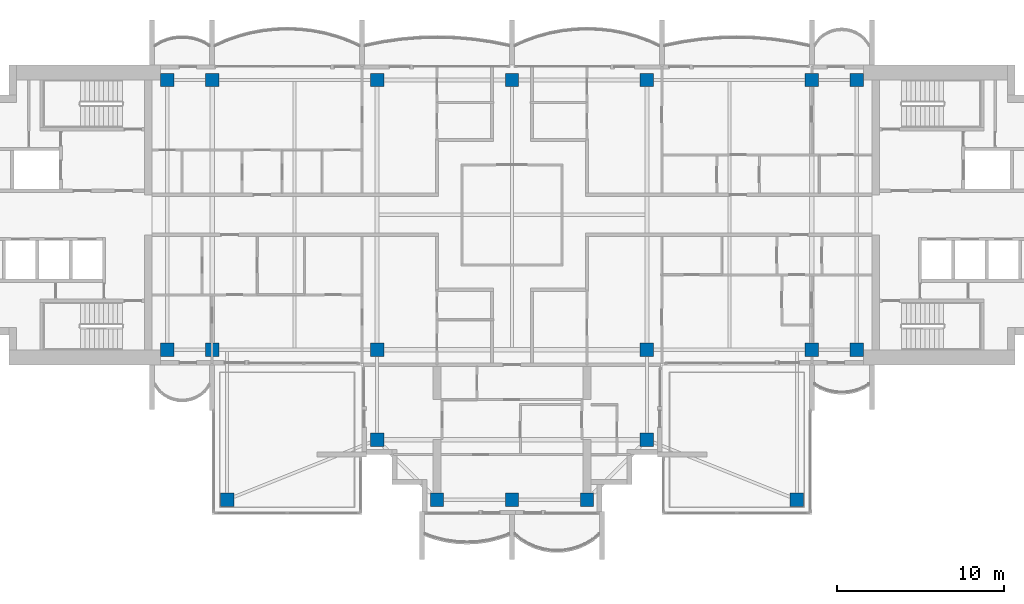
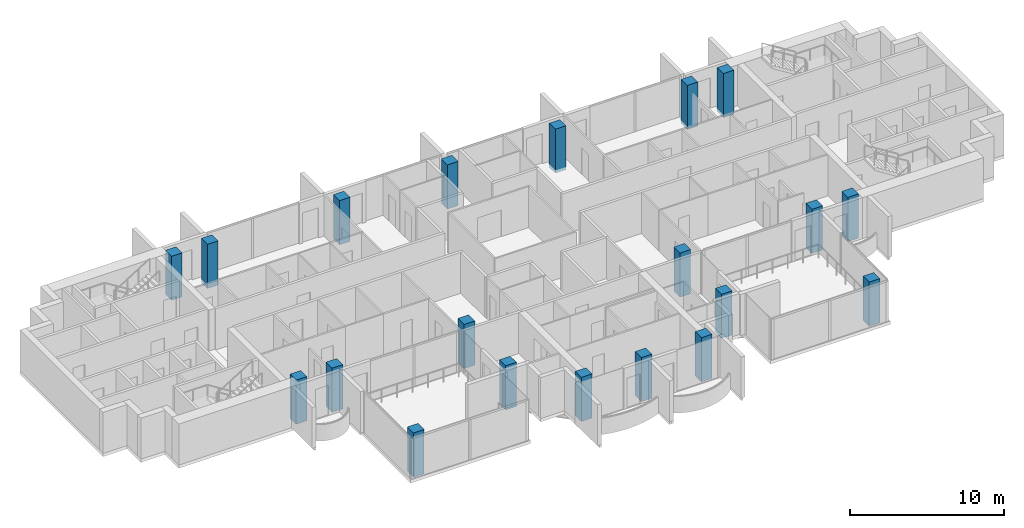
# One storey, part 1 of 16: 20 columns.
"""IFC4 building model written with IfcOpenShell, lengths in metres."""

from ifc_helpers import new_model, si_unit, direction, frame, origin, origin_2d, place, context, subcontext, project, spatial, rectangle, extrude, material, material_profile, profile_set, type_object, element, save


model = new_model("IFC4")

# Units and contexts
model_context = context("Model", 3, precision=1e-05, world=origin(), true_north=direction((0.0, 1.0)))
body_context = subcontext(model_context, "Body", "Model", "MODEL_VIEW")
ifc_project = project(units=[si_unit("LENGTHUNIT", "METRE"), si_unit("AREAUNIT", "SQUARE_METRE"), si_unit("VOLUMEUNIT", "CUBIC_METRE"), si_unit("PLANEANGLEUNIT", "RADIAN"), si_unit("MASSUNIT", "GRAM", prefix="KILO")], contexts=[model_context])

# Site, building, storey
site_placement = place(None, origin())
site = spatial("IfcSite", under=ifc_project, at=site_placement, CompositionType="ELEMENT")
building_placement = place(site_placement, origin())
building = spatial("IfcBuilding", under=site, at=building_placement, Name="Perihelion Cross Residences", CompositionType="ELEMENT")
storey_placement = place(building_placement, frame((0.0, 0.0, 257.0)))
storey = spatial("IfcBuildingStorey", under=building, at=storey_placement, Name="L65", CompositionType="ELEMENT", Elevation=257.0)

# Columns
ifc_material = material(Name="Concrete C50/60", Category="concrete")
ifc_material_profile = material_profile(ifc_material, rectangle(XDim=0.800048828125, YDim=0.800048828125, at=origin_2d()), Name="RC 800x800")
ifc_profile_set = profile_set([ifc_material_profile], Name="Concrete C50/60")
column_type = type_object("IfcColumnType", Name="Reinforced concrete column 800x800 C50/60", PredefinedType="COLUMN", material=ifc_profile_set)
for number, where, z_axis, x_axis, name in (
    (1, (-20.699951171875, -8.10009765625, -0.25), (0.0, 0.0, 1.0), (1.0, 0.0, 0.0), "Column C017 L65 no. 1"),
    (2, (-20.699951171875, 8.10009765625, -0.25), (0.0, 0.0, 1.0), (1.0, 0.0, 0.0), "Column C010 L65 no. 1"),
    (3, (-18.0, -8.10009765625, -0.25), (0.0, 0.0, 1.0), (1.0, 0.0, 0.0), "Column C018 L65 no. 1"),
    (4, (-18.0, 8.10009765625, -0.25), (0.0, 0.0, 1.0), (1.0, 0.0, 0.0), "Column C011 L65 no. 1"),
    (5, (-8.10009765625, -13.5, -0.25), (0.0, 0.0, 1.0), (1.0, 0.0, 0.0), "Column C025 L65 no. 1"),
    (6, (-8.10009765625, -8.10009765625, -0.25), (0.0, 0.0, 1.0), (1.0, 0.0, 0.0), "Column C019 L65 no. 1"),
    (7, (-8.10009765625, 8.10009765625, -0.25), (0.0, 0.0, 1.0), (1.0, 0.0, 0.0), "Column C012 L65 no. 1"),
    (8, (-4.5, -17.10009765625, -0.25), (0.0, 0.0, 1.0), (1.0, 0.0, 0.0), "Column C032 L65 no. 1"),
    (9, (0.0, -17.10009765625, -0.25), (0.0, 0.0, 1.0), (1.0, 0.0, 0.0), "Column C033 L65 no. 1"),
    (10, (0.0, 8.10009765625, -0.25), (0.0, 0.0, 1.0), (1.0, 0.0, 0.0), "Column C013 L65 no. 1"),
    (11, (4.5, -17.10009765625, -0.25), (0.0, 0.0, 1.0), (1.0, 0.0, 0.0), "Column C034 L65 no. 1"),
    (12, (8.10009765625, -13.5, -0.25), (0.0, 0.0, 1.0), (1.0, 0.0, 0.0), "Column C029 L65 no. 1"),
    (13, (8.10009765625, -8.10009765625, -0.25), (0.0, 0.0, 1.0), (1.0, 0.0, 0.0), "Column C020 L65 no. 1"),
    (14, (8.10009765625, 8.10009765625, -0.25), (0.0, 0.0, 1.0), (1.0, 0.0, 0.0), "Column C014 L65 no. 1"),
    (15, (18.0, -8.10009765625, -0.25), (0.0, 0.0, 1.0), (1.0, 0.0, 0.0), "Column C021 L65 no. 1"),
    (16, (18.0, 8.10009765625, -0.25), (0.0, 0.0, 1.0), (1.0, 0.0, 0.0), "Column C015 L65 no. 1"),
    (17, (20.699951171875, -8.10009765625, -0.25), (0.0, 0.0, 1.0), (1.0, 0.0, 0.0), "Column C022 L65 no. 1"),
    (18, (20.699951171875, 8.10009765625, -0.25), (0.0, 0.0, 1.0), (1.0, 0.0, 0.0), "Column C016 L65 no. 1"),
    (19, (-17.10009765625, -17.10009765625, -0.25), (0.0, 0.0, 1.0), (1.0, 0.0, 0.0), "Column C030 L65 no. 1"),
    (20, (17.10009765625, -17.10009765625, -0.25), (0.0, 0.0, 1.0), (1.0, 0.0, 0.0), "Column C036 L65 no. 1"),
):
    element("IfcColumn", number, at=place(storey_placement, frame(where, z_axis=z_axis, x_axis=x_axis)), inside=storey, type_object=column_type, Name=name, PredefinedType="COLUMN", context=body_context, shape_type="SweptSolid", body=[
        extrude(rectangle(XDim=0.800048828125, YDim=0.800048828125, at=origin_2d()), origin(), (0.0, 0.0, 1.0), 3.5),
    ])

save(model, "model.ifc")
